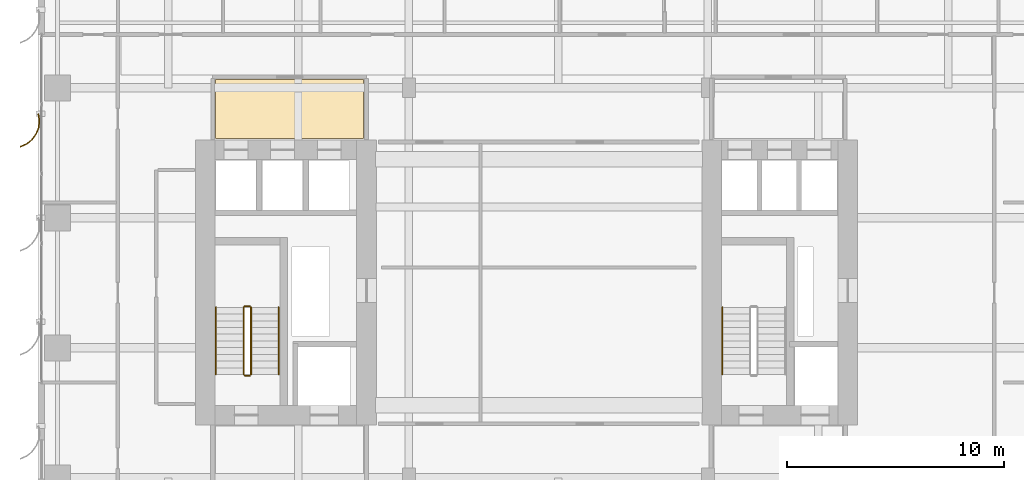
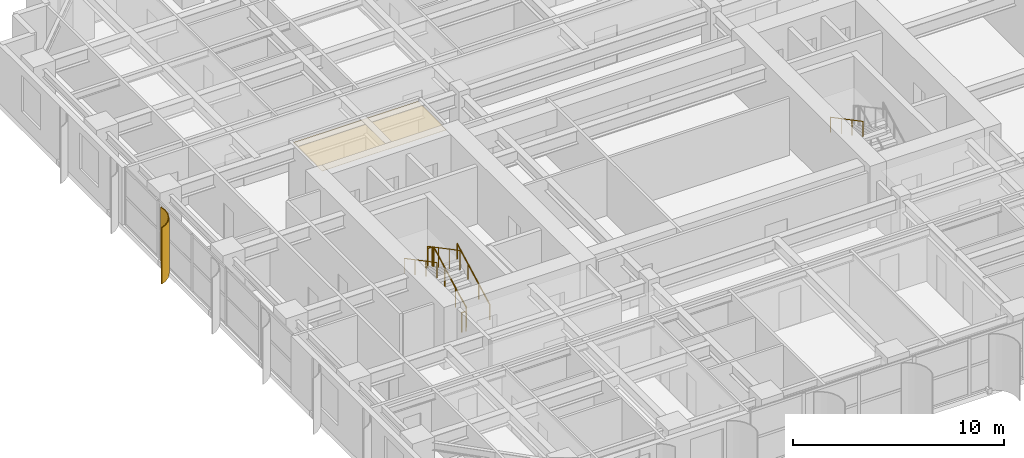
# One storey, part 21 of 23: 7 railings, 1 covering, 1 shading device.
"""IFC4 building model written with IfcOpenShell, lengths in metres."""

import ifcopenshell
import ifcopenshell.guid

model = None  # the IFC model being written
_history = None  # IfcOwnerHistory: only IFC2X3 demands one
_inside = {}  # id of a spatial element -> (the spatial element, [elements in it])
_under = {}  # id of a project, library or spatial element -> (it, [spatial elements below it])
_declared = {}  # id of a project -> (the project, [libraries it declares])
_typed = {}  # id of a type object -> (the type object, [elements of that type])
_made_of = {}  # id of a material, layer set ... -> (it, [elements and type objects made of it])


def new_model(schema):
    """Start an empty IFC model of exactly this schema.

    Asked for "IFC4X3", IfcOpenShell would pick the latest addendum, in which some entities
    have other attributes; the version numbers below select the first issue.
    IFC2X3 requires an IfcOwnerHistory on every rooted entity: one is made here for all.
    """
    global model, _history
    if schema == "IFC4X3":
        model = ifcopenshell.file(schema_version=(4, 3, 0, 0))
    else:
        model = ifcopenshell.file(schema=schema)
    _inside.clear()
    _under.clear()
    _declared.clear()
    _typed.clear()
    _made_of.clear()
    _history = None
    if model.schema == "IFC2X3":
        org = make("IfcOrganization", Name="unknown")
        user = make(
            "IfcPersonAndOrganization",
            ThePerson=make("IfcPerson", FamilyName="unknown"),
            TheOrganization=org,
        )
        app = make(
            "IfcApplication",
            ApplicationDeveloper=org,
            Version="unknown",
            ApplicationFullName="unknown",
            ApplicationIdentifier="unknown",
        )
        _history = make(
            "IfcOwnerHistory",
            OwningUser=user,
            OwningApplication=app,
            ChangeAction="ADDED",
            CreationDate=0,
        )
    return model


def make(cls, **values):
    """One entity of the class cls with the attributes given. An attribute that is None is left unset."""
    return model.create_entity(
        cls, **{name: value for name, value in values.items() if value is not None}
    )


def rooted(cls, **values):
    """An entity with a GlobalId (a new one), such as an element, a storey or a relation."""
    return make(cls, GlobalId=ifcopenshell.guid.new(), OwnerHistory=_history, **values)


def si_unit(unit_type, name, prefix=None):
    """IfcSIUnit, for example si_unit("LENGTHUNIT", "METRE", prefix="MILLI")."""
    return make("IfcSIUnit", UnitType=unit_type, Prefix=prefix, Name=name)


def assignment(units):
    """IfcUnitAssignment: the units of a project."""
    return None if units is None else make("IfcUnitAssignment", Units=units)


def point(xyz):
    """IfcCartesianPoint."""
    return None if xyz is None else make("IfcCartesianPoint", Coordinates=xyz)


def direction(xyz):
    """IfcDirection."""
    return None if xyz is None else make("IfcDirection", DirectionRatios=xyz)


def frame(location, z_axis=None, x_axis=None):
    """IfcAxis2Placement3D, a coordinate frame: its origin and axes. An axis left out is left unset."""
    return make(
        "IfcAxis2Placement3D",
        Location=point(location),
        Axis=direction(z_axis),
        RefDirection=direction(x_axis),
    )


def frame_2d(location, x_axis=None):
    """IfcAxis2Placement2D, a coordinate frame in the plane: its origin and x axis."""
    return make(
        "IfcAxis2Placement2D", Location=point(location), RefDirection=direction(x_axis)
    )


def origin():
    """The frame at (0, 0, 0) with its axes left unset."""
    return frame((0.0, 0.0, 0.0))


def origin_2d():
    """The frame at (0, 0) in the plane with its x axis left unset."""
    return frame_2d((0.0, 0.0))


def place(relative_to, where):
    """IfcLocalPlacement: puts the frame where relative to a parent placement (None: the world)."""
    return make(
        "IfcLocalPlacement", PlacementRelTo=relative_to, RelativePlacement=where
    )


def context(
    kind, dimensions, precision=None, world=None, true_north=None, identifier=None
):
    """IfcGeometricRepresentationContext, for example the 3D "Model" context."""
    return make(
        "IfcGeometricRepresentationContext",
        ContextIdentifier=identifier,
        ContextType=kind,
        CoordinateSpaceDimension=dimensions,
        Precision=precision,
        WorldCoordinateSystem=world,
        TrueNorth=true_north,
    )


def subcontext(parent, identifier, kind, view, scale=None):
    """IfcGeometricRepresentationSubContext, for example "Body" below "Model"."""
    return make(
        "IfcGeometricRepresentationSubContext",
        ContextIdentifier=identifier,
        ContextType=kind,
        ParentContext=parent,
        TargetScale=scale,
        TargetView=view,
    )


def project(units=None, contexts=None):
    """IfcProject with its units and contexts."""
    return rooted(
        "IfcProject",
        Name="project",
        RepresentationContexts=contexts,
        UnitsInContext=assignment(units),
    )


def spatial(cls, under=None, at=None, **own):
    """A site, building, storey or space (cls), placed at a placement, below another one or the project."""
    s = rooted(cls, ObjectPlacement=at, **own)
    if under is not None:
        _under.setdefault(under.id(), (under, []))[1].append(s)
    return s


def polyline(points):
    """IfcPolyline through the points."""
    return make("IfcPolyline", Points=[point(p) for p in points])


def profile(cls, at=None, kind="AREA", **sizes):
    """A parametric profile (cls). Its sizes go by their IFC names, for example OverallWidth=200.0."""
    return make(cls, ProfileType=kind, Position=at, **sizes)


def circle(**sizes):
    """IfcCircleProfileDef."""
    return profile("IfcCircleProfileDef", **sizes)


def outline(outer, holes=None, kind="AREA"):
    """IfcArbitraryClosedProfileDef: a profile drawn as a closed curve; with holes, ...WithVoids."""
    if holes is None:
        return make("IfcArbitraryClosedProfileDef", ProfileType=kind, OuterCurve=outer)
    return make(
        "IfcArbitraryProfileDefWithVoids",
        ProfileType=kind,
        OuterCurve=outer,
        InnerCurves=holes,
    )


def extrude(swept, where, along, depth):
    """IfcExtrudedAreaSolid: the profile swept, set in the frame where, extruded along a direction by depth."""
    return make(
        "IfcExtrudedAreaSolid",
        SweptArea=swept,
        Position=where,
        ExtrudedDirection=direction(along),
        Depth=depth,
    )


def shape(context_of_items, identifier, shape_type, items):
    """IfcShapeRepresentation: the items that make up one representation, for example the "Body"."""
    return make(
        "IfcShapeRepresentation",
        ContextOfItems=context_of_items,
        RepresentationIdentifier=identifier,
        RepresentationType=shape_type,
        Items=items,
    )


def source(mapping_origin, context_of_items, identifier, shape_type, items):
    """IfcRepresentationMap: a shape defined once, which mapped items show again and again."""
    return make(
        "IfcRepresentationMap",
        MappingOrigin=mapping_origin,
        MappedRepresentation=shape(context_of_items, identifier, shape_type, items),
    )


def transform(
    local_origin,
    x_axis=None,
    y_axis=None,
    z_axis=None,
    scale=None,
    scale2=None,
    scale3=None,
    uniform=True,
):
    """IfcCartesianTransformationOperator3D, or its non-uniform kind. x_axis, y_axis, z_axis: its Axis1, 2, 3."""
    if uniform:
        return make(
            "IfcCartesianTransformationOperator3D",
            Axis1=direction(x_axis),
            Axis2=direction(y_axis),
            LocalOrigin=point(local_origin),
            Scale=scale,
            Axis3=direction(z_axis),
        )
    return make(
        "IfcCartesianTransformationOperator3DnonUniform",
        Axis1=direction(x_axis),
        Axis2=direction(y_axis),
        LocalOrigin=point(local_origin),
        Scale=scale,
        Axis3=direction(z_axis),
        Scale2=scale2,
        Scale3=scale3,
    )


def mapped(mapping_source, mapping_target):
    """IfcMappedItem: shows the shape of a source again, moved by a transform."""
    return make(
        "IfcMappedItem", MappingSource=mapping_source, MappingTarget=mapping_target
    )


def material(Name=None, Category=None):
    """IfcMaterial."""
    return make("IfcMaterial", Name=Name, Category=Category)


def layer(
    of_material, thickness, ventilated=None, Name=None, Category=None, Priority=None
):
    """IfcMaterialLayer: one layer of a wall or slab, of a material (None: an air gap)."""
    return make(
        "IfcMaterialLayer",
        Material=of_material,
        LayerThickness=thickness,
        IsVentilated=ventilated,
        Name=Name,
        Category=Category,
        Priority=Priority,
    )


def layer_set(layers, Name=None):
    """IfcMaterialLayerSet."""
    return make("IfcMaterialLayerSet", MaterialLayers=layers, LayerSetName=Name)


def made_of(thing, what):
    """Note that an element or type object is made of a material, layer set ...; save() writes the relation."""
    if what is not None:
        _made_of.setdefault(what.id(), (what, []))[1].append(thing)
    return thing


def type_object(cls, material=None, **own):
    """A type object (cls), such as IfcWallType, which elements share."""
    return made_of(rooted(cls, **own), material)


def element(
    cls,
    number,
    at=None,
    inside=None,
    cuts=None,
    type_object=None,
    material=None,
    context=None,
    identifier="Body",
    shape_type=None,
    held_by="IfcProductDefinitionShape",
    body=None,
    shapes=None,
    **own,
):
    """One element of the class cls, such as IfcWall. Its Tag is "e" and its number.

    at: its placement. inside: the storey or other place that contains it. cuts: it is an
    opening in that element (IfcRelVoidsElement). A single representation is given by context,
    identifier, shape_type and body (its items); several are given by shapes. held_by: the class
    of the entity that holds the representations. save() writes the other relations.
    """
    e = rooted(cls, Tag="e%d" % number, ObjectPlacement=at, **own)
    if body is not None:
        shapes = [shape(context, identifier, shape_type, body)]
    if shapes is not None:
        e.Representation = make(held_by, Representations=shapes)
    if inside is not None:
        _inside.setdefault(inside.id(), (inside, []))[1].append(e)
    if cuts is not None:
        rooted(
            "IfcRelVoidsElement", RelatingBuildingElement=cuts, RelatedOpeningElement=e
        )
    if type_object is not None:
        _typed.setdefault(type_object.id(), (type_object, []))[1].append(e)
    return made_of(e, material)


def aggregate(whole, parts):
    """IfcRelAggregates: a whole, such as a stair, and the parts it consists of."""
    return rooted("IfcRelAggregates", RelatingObject=whole, RelatedObjects=parts)


def save(model, path):
    """Write the relations noted so far, then the file.

    IfcRelAggregates (storeys below a building ...), IfcRelContainedInSpatialStructure (elements
    in a storey), IfcRelDefinesByType, IfcRelAssociatesMaterial and IfcRelDeclares: one each for
    every whole, place, type object, material and project.
    """
    for whole, parts in _under.values():
        aggregate(whole, parts)
    for where, things in _inside.values():
        rooted(
            "IfcRelContainedInSpatialStructure",
            RelatedElements=things,
            RelatingStructure=where,
        )
    for kind, things in _typed.values():
        rooted("IfcRelDefinesByType", RelatedObjects=things, RelatingType=kind)
    for what, things in _made_of.values():
        rooted("IfcRelAssociatesMaterial", RelatedObjects=things, RelatingMaterial=what)
    for by, libraries in _declared.values():
        rooted("IfcRelDeclares", RelatingContext=by, RelatedDefinitions=libraries)
    model.write(path)


model = new_model("IFC4")

# Units and contexts
model_context = context("Model", 3, precision=1e-05, world=origin(), true_north=direction((0.0, 1.0)))
body_context = subcontext(model_context, "Body", "Model", "MODEL_VIEW")
ifc_project = project(units=[si_unit("LENGTHUNIT", "METRE"), si_unit("AREAUNIT", "SQUARE_METRE"), si_unit("VOLUMEUNIT", "CUBIC_METRE"), si_unit("PLANEANGLEUNIT", "RADIAN"), si_unit("MASSUNIT", "GRAM", prefix="KILO")], contexts=[model_context])

# Site, building, storey
site_placement = place(None, origin())
site = spatial("IfcSite", under=ifc_project, at=site_placement, CompositionType="ELEMENT")
building_placement = place(site_placement, origin())
building = spatial("IfcBuilding", under=site, at=building_placement, Name="Khoralis Quay Care Tower", CompositionType="ELEMENT")
storey_placement = place(building_placement, frame((0.0, 0.0, 33.300048828125)))
storey = spatial("IfcBuildingStorey", under=building, at=storey_placement, Name="L08", CompositionType="ELEMENT", Elevation=33.300048828125)

# Covering
ifc_material_1 = material(Name="Mineral-fibre acoustic ceiling tile")
ifc_layer_1 = layer(ifc_material_1, 0.01806640625)
ifc_layer_set_1 = layer_set([ifc_layer_1], Name="Mineral-fibre acoustic ceiling tile")
covering_type = type_object("IfcCoveringType", Name="COV-CEIL-AC18", PredefinedType="CEILING", material=ifc_layer_set_1)
covering_placement = place(storey_placement, frame((0.0, 0.0, 3.171875)))
element("IfcCovering", 1, at=covering_placement, inside=storey, type_object=covering_type, Name="Suspended Acoustic Ceiling SP-L08-LLOB-W", PredefinedType="CEILING", context=body_context, shape_type="SweptSolid", body=[
    extrude(outline(polyline([(8.179931640625, 27.64990234375), (15.02001953125, 27.64990234375), (15.02001953125, 30.389892578125), (8.179931640625, 30.389892578125), (8.179931640625, 27.64990234375)])), origin(), (0.0, 0.0, 1.0), 0.01806640625),
])

# Railings
ifc_material_2 = material(Name="Brushed stainless steel", Category="steel")
railing_type_1 = type_object("IfcRailingType", Name="RL-GUARD-1150", PredefinedType="GUARDRAIL", material=ifc_material_2)
railing_1_placement = place(storey_placement, frame((9.820068359375, 16.77001953125, 0.16357421875)))
element("IfcRailing", 2, at=railing_1_placement, inside=storey, type_object=railing_type_1, Name="L08 ST-T1 stair guard 1", PredefinedType="GUARDRAIL", context=body_context, shape_type="SweptSolid", body=[
    extrude(circle(Radius=0.02392578125, at=origin_2d()), frame((0.0, 0.0, 1.1259765625), z_axis=(0.0, 0.884348015382, 0.466828220752), x_axis=(-1.0, 0.0, 0.0)), (0.0, 0.0, 1.0), 3.505615234375),
    extrude(circle(Radius=0.02099609375, at=origin_2d()), origin(), (0.0, 0.0, 1.0), 1.101806640625),
    extrude(circle(Radius=0.02099609375, at=origin_2d()), frame((0.0, 1.033447265625, 0.54541015625)), (0.0, 0.0, 1.0), 1.101806640625),
    extrude(circle(Radius=0.02099609375, at=origin_2d()), frame((0.0, 2.066650390625, 1.091064453125)), (0.0, 0.0, 1.0), 1.101806640625),
    extrude(circle(Radius=0.02099609375, at=origin_2d()), frame((0.0, 3.10009765625, 1.636474609375)), (0.0, 0.0, 1.0), 1.101806640625),
])
railing_2_placement = place(storey_placement, frame((9.77001953125, 19.919921875, 1.800048828125)))
element("IfcRailing", 3, at=railing_2_placement, inside=storey, type_object=railing_type_1, Name="L08 ST-T1 stair guard 2", PredefinedType="GUARDRAIL", context=body_context, shape_type="SweptSolid", body=[
    extrude(circle(Radius=0.02392578125, at=origin_2d()), frame((0.0, 0.0, 1.1259765625), z_axis=(-1.0, 0.0, 0.0), x_axis=(0.0, -1.0, 0.0)), (0.0, 0.0, 1.0), 0.239990234375),
    extrude(circle(Radius=0.02099609375, at=origin_2d()), origin(), (0.0, 0.0, 1.0), 1.101806640625),
    extrude(circle(Radius=0.02099609375, at=origin_2d()), frame((-0.239990234375, 0.0, 0.0)), (0.0, 0.0, 1.0), 1.101806640625),
])
railing_3_placement = place(storey_placement, frame((9.47998046875, 19.8701171875, 1.963623046875)))
element("IfcRailing", 4, at=railing_3_placement, inside=storey, type_object=railing_type_1, Name="L08 ST-T1 stair guard 3", PredefinedType="GUARDRAIL", context=body_context, shape_type="SweptSolid", body=[
    extrude(circle(Radius=0.02392578125, at=origin_2d()), frame((0.0, 0.0, 1.1259765625), z_axis=(0.0, -0.884376766648, 0.46677375099), x_axis=(1.0, 0.0, 0.0)), (0.0, 0.0, 1.0), 3.50537109375),
    extrude(circle(Radius=0.02099609375, at=origin_2d()), origin(), (0.0, 0.0, 1.0), 1.101806640625),
    extrude(circle(Radius=0.02099609375, at=origin_2d()), frame((0.0, -1.033447265625, 0.54541015625)), (0.0, 0.0, 1.0), 1.101806640625),
    extrude(circle(Radius=0.02099609375, at=origin_2d()), frame((0.0, -2.066650390625, 1.0908203125)), (0.0, 0.0, 1.0), 1.101806640625),
    extrude(circle(Radius=0.02099609375, at=origin_2d()), frame((0.0, -3.10009765625, 1.63623046875)), (0.0, 0.0, 1.0), 1.101806640625),
])
railing_4_placement = place(storey_placement, frame((9.77001953125, 16.719970703125, 0.0)))
element("IfcRailing", 5, at=railing_4_placement, inside=storey, type_object=railing_type_1, Name="L08 ST-T1 stair guard 4", PredefinedType="GUARDRAIL", context=body_context, shape_type="SweptSolid", body=[
    extrude(circle(Radius=0.02392578125, at=origin_2d()), frame((0.0, 0.0, 1.1259765625), z_axis=(-1.0, 0.0, 0.0), x_axis=(0.0, -1.0, 0.0)), (0.0, 0.0, 1.0), 0.239990234375),
    extrude(circle(Radius=0.02099609375, at=origin_2d()), origin(), (0.0, 0.0, 1.0), 1.101806640625),
    extrude(circle(Radius=0.02099609375, at=origin_2d()), frame((-0.239990234375, 0.0, 0.0)), (0.0, 0.0, 1.0), 1.101806640625),
])
railing_type_2 = type_object("IfcRailingType", Name="RL-HAND-900", PredefinedType="HANDRAIL", material=ifc_material_2)
railing_5_placement = place(storey_placement, frame((11.10009765625, 16.77001953125, 0.16357421875)))
element("IfcRailing", 6, at=railing_5_placement, inside=storey, type_object=railing_type_2, Name="L08 ST-T1 stair handrail 1", PredefinedType="HANDRAIL", context=body_context, shape_type="SweptSolid", body=[
    extrude(circle(Radius=0.02392578125, at=origin_2d()), frame((0.0, 0.0, 0.8759765625), z_axis=(0.0, 0.884348015382, 0.466828220752), x_axis=(-1.0, 0.0, 0.0)), (0.0, 0.0, 1.0), 3.505615234375),
    extrude(circle(Radius=0.02099609375, at=origin_2d()), origin(), (0.0, 0.0, 1.0), 0.851806640625),
    extrude(circle(Radius=0.02099609375, at=origin_2d()), frame((0.0, 1.033447265625, 0.54541015625)), (0.0, 0.0, 1.0), 0.851806640625),
    extrude(circle(Radius=0.02099609375, at=origin_2d()), frame((0.0, 2.066650390625, 1.091064453125)), (0.0, 0.0, 1.0), 0.851806640625),
    extrude(circle(Radius=0.02099609375, at=origin_2d()), frame((0.0, 3.10009765625, 1.636474609375)), (0.0, 0.0, 1.0), 0.851806640625),
])
for number, where, name in (
    (7, (8.199951171875, 19.8701171875, 1.963623046875), "L08 ST-T1 stair handrail 2"),
    (8, (31.570068359375, 19.8701171875, 1.963623046875), "L08 ST-T2 stair handrail 2"),
):
    element("IfcRailing", number, at=place(storey_placement, frame(where)), inside=storey, type_object=railing_type_2, Name=name, PredefinedType="HANDRAIL", context=body_context, shape_type="SweptSolid", body=[
        extrude(circle(Radius=0.02392578125, at=origin_2d()), frame((0.0, 0.0, 0.8759765625), z_axis=(0.0, -0.884376766648, 0.46677375099), x_axis=(1.0, 0.0, 0.0)), (0.0, 0.0, 1.0), 3.50537109375),
        extrude(circle(Radius=0.02099609375, at=origin_2d()), origin(), (0.0, 0.0, 1.0), 0.851806640625),
        extrude(circle(Radius=0.02099609375, at=origin_2d()), frame((0.0, -1.033447265625, 0.54541015625)), (0.0, 0.0, 1.0), 0.851806640625),
        extrude(circle(Radius=0.02099609375, at=origin_2d()), frame((0.0, -2.066650390625, 1.0908203125)), (0.0, 0.0, 1.0), 0.851806640625),
        extrude(circle(Radius=0.02099609375, at=origin_2d()), frame((0.0, -3.10009765625, 1.63623046875)), (0.0, 0.0, 1.0), 0.851806640625),
    ])

# Shading device
ifc_material_3 = material(Name="Brushed pale anodised aluminium", Category="aluminium")
ifc_layer_2 = layer(ifc_material_3, 0.044921875)
ifc_layer_set_2 = layer_set([ifc_layer_2], Name="Brushed pale anodised aluminium")
shading_device_type = type_object("IfcShadingDeviceType", Name="SHD-FIN-1250", PredefinedType="USERDEFINED", material=ifc_layer_set_2)
shared_shape = source(origin(), body_context, "Body", "SweptSolid", [
    extrude(outline(polyline([(0.0, 0.0), (-0.04833984375, 0.32275390625), (-0.01123046875, 0.64697265625), (0.1083984375, 0.950439453125), (0.302490234375, 1.212890625), (0.557861328125, 1.416015625), (0.85693359375, 1.546142578125), (0.869384765625, 1.5029296875), (0.5810546875, 1.37744140625), (0.334716796875, 1.181640625), (0.147705078125, 0.9287109375), (0.032470703125, 0.635986328125), (-0.003173828125, 0.323486328125), (0.043212890625, 0.012451171875), (0.0, 0.0)])), origin(), (0.0, 0.0, 1.0), 3.260009765625),
])
shading_device_placement = place(storey_placement, frame((0.030029296875, 28.800048828125, 0.02001953125), z_axis=(0.0, 0.0, 1.0), x_axis=(-1.0, 0.0, 0.0)))
element("IfcShadingDevice", 9, at=shading_device_placement, inside=storey, type_object=shading_device_type, Name="L08 Curved Solar Fin P1E15-03", ObjectType="FIN", PredefinedType="USERDEFINED", context=body_context, shape_type="MappedRepresentation", body=[
    mapped(shared_shape, transform((0.0, 0.0, 0.0), scale=1.0)),
])

save(model, "model.ifc")
